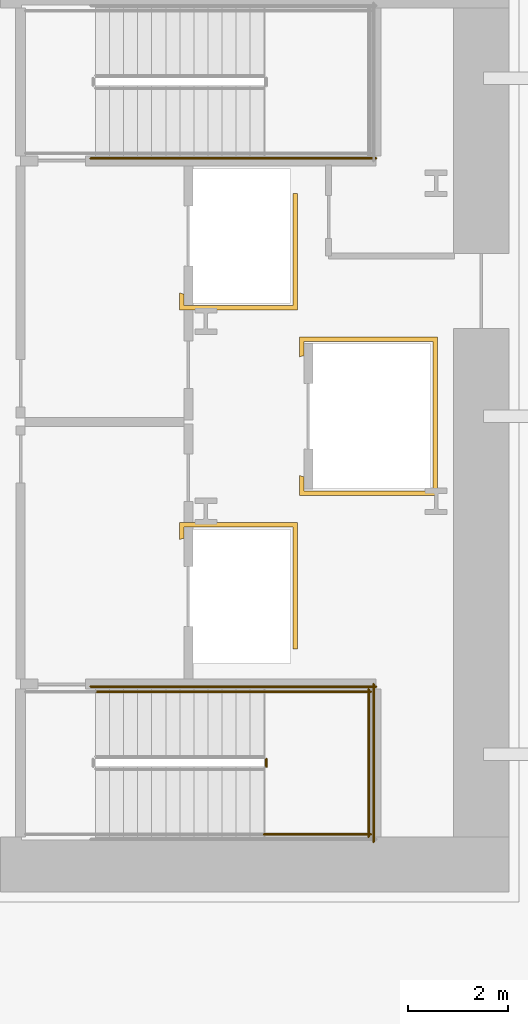
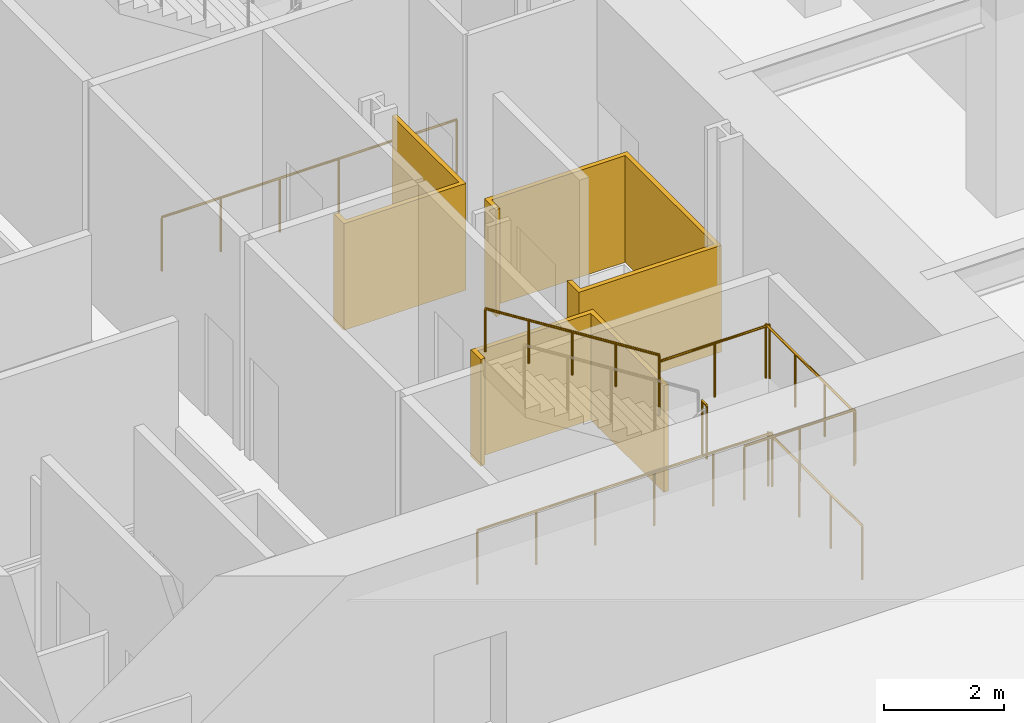
# One storey, part 13 of 18: 8 railings, 3 coverings.
"""IFC4 building model written with IfcOpenShell, lengths in metres."""

from ifc_helpers import new_model, si_unit, direction, frame, origin, origin_2d, place, context, subcontext, project, spatial, polyline, circle, outline, extrude, material, layer, layer_set, type_object, element, save


model = new_model("IFC4")

# Units and contexts
model_context = context("Model", 3, precision=1e-05, world=origin(), true_north=direction((0.0, 1.0)))
body_context = subcontext(model_context, "Body", "Model", "MODEL_VIEW")
ifc_project = project(units=[si_unit("LENGTHUNIT", "METRE"), si_unit("AREAUNIT", "SQUARE_METRE"), si_unit("VOLUMEUNIT", "CUBIC_METRE"), si_unit("PLANEANGLEUNIT", "RADIAN"), si_unit("MASSUNIT", "GRAM", prefix="KILO")], contexts=[model_context])

# Site, building, storey
site_placement = place(None, origin())
site = spatial("IfcSite", under=ifc_project, at=site_placement, CompositionType="ELEMENT")
building_placement = place(site_placement, origin())
building = spatial("IfcBuilding", under=site, at=building_placement, Name="Valkerne Bourse Tower", CompositionType="ELEMENT")
storey_placement = place(building_placement, frame((0.0, 0.0, 10.199951171875)))
storey = spatial("IfcBuildingStorey", under=building, at=storey_placement, Name="L02", CompositionType="ELEMENT", Elevation=10.199951171875)

# Coverings
ifc_material_1 = material(Name="Gypsum Shaftwall Liner Board", Category="gypsum")
ifc_layer = layer(ifc_material_1, 0.080078125)
ifc_layer_set = layer_set([ifc_layer], Name="Gypsum Shaftwall Liner Board")
covering_type = type_object("IfcCoveringType", Name="COV-SHF-CLAD", PredefinedType="CLADDING", material=ifc_layer_set)
covering_1_placement = place(storey_placement, origin())
element("IfcCovering", 1, at=covering_1_placement, inside=storey, type_object=covering_type, Name="L02 Hoistway & Riser Shaftwall Liner 07", PredefinedType="CLADDING", context=body_context, shape_type="SweptSolid", body=[
    extrude(outline(polyline([(52.179931640625, 22.35009765625), (52.090087890625, 22.35009765625), (52.090087890625, 24.7900390625), (49.909912109375, 24.7900390625), (49.909912109375, 24.560791015625), (49.869384765625, 24.550537109375), (49.827880859375, 24.53564453125), (49.820068359375, 24.531982421875), (49.820068359375, 24.8798828125), (52.179931640625, 24.8798828125), (52.179931640625, 22.35009765625)])), origin(), (0.0, 0.0, 1.0), 2.179931640625),
])
covering_2_placement = place(storey_placement, origin())
element("IfcCovering", 2, at=covering_2_placement, inside=storey, type_object=covering_type, Name="L02 Hoistway & Riser Shaftwall Liner 08", PredefinedType="CLADDING", context=body_context, shape_type="SweptSolid", body=[
    extrude(outline(polyline([(54.97998046875, 25.419921875), (52.219970703125, 25.419921875), (52.219970703125, 25.81787109375), (52.227783203125, 25.814208984375), (52.269287109375, 25.79931640625), (52.31005859375, 25.789306640625), (52.31005859375, 25.510009765625), (54.889892578125, 25.510009765625), (54.889892578125, 28.489990234375), (52.31005859375, 28.489990234375), (52.31005859375, 28.210693359375), (52.269287109375, 28.20068359375), (52.227783203125, 28.185791015625), (52.219970703125, 28.18212890625), (52.219970703125, 28.580078125), (54.97998046875, 28.580078125), (54.97998046875, 25.419921875)])), origin(), (0.0, 0.0, 1.0), 2.179931640625),
])
covering_3_placement = place(storey_placement, origin())
element("IfcCovering", 3, at=covering_3_placement, inside=storey, type_object=covering_type, Name="L02 Hoistway & Riser Shaftwall Liner 10", PredefinedType="CLADDING", context=body_context, shape_type="SweptSolid", body=[
    extrude(outline(polyline([(49.820068359375, 29.1201171875), (49.820068359375, 29.468017578125), (49.827880859375, 29.46435546875), (49.869384765625, 29.449462890625), (49.909912109375, 29.439208984375), (49.909912109375, 29.2099609375), (52.090087890625, 29.2099609375), (52.090087890625, 31.449951171875), (52.179931640625, 31.449951171875), (52.179931640625, 29.1201171875), (49.820068359375, 29.1201171875)])), origin(), (0.0, 0.0, 1.0), 2.179931640625),
])

# Railings
ifc_material_2 = material(Name="Galvanised Painted Steel", Category="steel")
railing_type_1 = type_object("IfcRailingType", Name="RLG-ST-GUARD-1120", PredefinedType="GUARDRAIL", material=ifc_material_2)
railing_1_placement = place(storey_placement, frame((51.56005859375, 20.0, 2.300048828125)))
element("IfcRailing", 4, at=railing_1_placement, inside=storey, type_object=railing_type_1, Name="L02 ST-1 stair guard 2", PredefinedType="GUARDRAIL", context=body_context, shape_type="SweptSolid", body=[
    extrude(circle(Radius=0.02392578125, at=origin_2d()), frame((0.0, 0.0, 1.09619140625), z_axis=(0.0, 1.0, 0.0), x_axis=(-1.0, 0.0, 0.0)), (0.0, 0.0, 1.0), 0.14990234375),
    extrude(circle(Radius=0.02099609375, at=origin_2d()), origin(), (0.0, 0.0, 1.0), 1.072021484375),
    extrude(circle(Radius=0.02099609375, at=origin_2d()), frame((0.0, 0.14990234375, 0.0)), (0.0, 0.0, 1.0), 1.072021484375),
])
for number, where, name in (
    (5, (51.510009765625, 18.64990234375, 2.300048828125), "L02 ST-1 stair guard 3"),
    (6, (51.510009765625, 21.5, 2.300048828125), "L02 ST-1 stair guard 4"),
):
    element("IfcRailing", number, at=place(storey_placement, frame(where)), inside=storey, type_object=railing_type_1, Name=name, PredefinedType="GUARDRAIL", context=body_context, shape_type="SweptSolid", body=[
        extrude(circle(Radius=0.02392578125, at=origin_2d()), frame((0.0, 0.0, 1.09619140625), z_axis=(1.0, 0.0, 0.0), x_axis=(0.0, 1.0, 0.0)), (0.0, 0.0, 1.0), 2.139892578125),
        extrude(circle(Radius=0.02099609375, at=origin_2d()), origin(), (0.0, 0.0, 1.0), 1.072021484375),
        extrude(circle(Radius=0.02099609375, at=origin_2d()), frame((1.06982421875, 0.0, 0.0)), (0.0, 0.0, 1.0), 1.072021484375),
        extrude(circle(Radius=0.02099609375, at=origin_2d()), frame((2.139892578125, 0.0, 0.0)), (0.0, 0.0, 1.0), 1.072021484375),
    ])
railing_2_placement = place(storey_placement, frame((53.60009765625, 18.60009765625, 2.300048828125)))
element("IfcRailing", 7, at=railing_2_placement, inside=storey, type_object=railing_type_1, Name="L02 ST-1 stair guard 5", PredefinedType="GUARDRAIL", context=body_context, shape_type="SweptSolid", body=[
    extrude(circle(Radius=0.02392578125, at=origin_2d()), frame((0.0, 0.0, 1.09619140625), z_axis=(0.0, 1.0, 0.0), x_axis=(-1.0, 0.0, 0.0)), (0.0, 0.0, 1.0), 2.949951171875),
    extrude(circle(Radius=0.02099609375, at=origin_2d()), origin(), (0.0, 0.0, 1.0), 1.072021484375),
    extrude(circle(Radius=0.02099609375, at=origin_2d()), frame((0.0, 0.9833984375, 0.0)), (0.0, 0.0, 1.0), 1.072021484375),
    extrude(circle(Radius=0.02099609375, at=origin_2d()), frame((0.0, 1.966552734375, 0.0)), (0.0, 0.0, 1.0), 1.072021484375),
    extrude(circle(Radius=0.02099609375, at=origin_2d()), frame((0.0, 2.949951171875, 0.0)), (0.0, 0.0, 1.0), 1.072021484375),
])
railing_3_placement = place(storey_placement, frame((48.050048828125, 21.60009765625, 0.0)))
element("IfcRailing", 8, at=railing_3_placement, inside=storey, type_object=railing_type_1, Name="L02 ST-1 stair guard 11", PredefinedType="GUARDRAIL", context=body_context, shape_type="SweptSolid", body=[
    extrude(circle(Radius=0.02392578125, at=origin_2d()), frame((0.0, 0.0, 1.09619140625), z_axis=(1.0, 0.0, 0.0), x_axis=(0.0, 1.0, 0.0)), (0.0, 0.0, 1.0), 5.699951171875),
    extrude(circle(Radius=0.02099609375, at=origin_2d()), origin(), (0.0, 0.0, 1.0), 1.072021484375),
    extrude(circle(Radius=0.02099609375, at=origin_2d()), frame((1.139892578125, 0.0, 0.0)), (0.0, 0.0, 1.0), 1.072021484375),
    extrude(circle(Radius=0.02099609375, at=origin_2d()), frame((2.280029296875, 0.0, 0.0)), (0.0, 0.0, 1.0), 1.072021484375),
    extrude(circle(Radius=0.02099609375, at=origin_2d()), frame((3.419921875, 0.0, 0.0)), (0.0, 0.0, 1.0), 1.072021484375),
    extrude(circle(Radius=0.02099609375, at=origin_2d()), frame((4.56005859375, 0.0, 0.0)), (0.0, 0.0, 1.0), 1.072021484375),
    extrude(circle(Radius=0.02099609375, at=origin_2d()), frame((5.699951171875, 0.0, 0.0)), (0.0, 0.0, 1.0), 1.072021484375),
])
railing_4_placement = place(storey_placement, frame((53.699951171875, 18.5, 0.0)))
element("IfcRailing", 9, at=railing_4_placement, inside=storey, type_object=railing_type_1, Name="L02 ST-1 stair guard 12", PredefinedType="GUARDRAIL", context=body_context, shape_type="SweptSolid", body=[
    extrude(circle(Radius=0.02392578125, at=origin_2d()), frame((0.0, 0.0, 1.09619140625), z_axis=(0.0, 1.0, 0.0), x_axis=(-1.0, 0.0, 0.0)), (0.0, 0.0, 1.0), 3.14990234375),
    extrude(circle(Radius=0.02099609375, at=origin_2d()), origin(), (0.0, 0.0, 1.0), 1.072021484375),
    extrude(circle(Radius=0.02099609375, at=origin_2d()), frame((0.0, 1.050048828125, 0.0)), (0.0, 0.0, 1.0), 1.072021484375),
    extrude(circle(Radius=0.02099609375, at=origin_2d()), frame((0.0, 2.099853515625, 0.0)), (0.0, 0.0, 1.0), 1.072021484375),
    extrude(circle(Radius=0.02099609375, at=origin_2d()), frame((0.0, 3.14990234375, 0.0)), (0.0, 0.0, 1.0), 1.072021484375),
])
railing_5_placement = place(storey_placement, frame((48.050048828125, 32.14990234375, 0.0)))
element("IfcRailing", 10, at=railing_5_placement, inside=storey, type_object=railing_type_1, Name="L02 ST-2 stair guard 10", PredefinedType="GUARDRAIL", context=body_context, shape_type="SweptSolid", body=[
    extrude(circle(Radius=0.02392578125, at=origin_2d()), frame((0.0, 0.0, 1.09619140625), z_axis=(1.0, 0.0, 0.0), x_axis=(0.0, 1.0, 0.0)), (0.0, 0.0, 1.0), 5.699951171875),
    extrude(circle(Radius=0.02099609375, at=origin_2d()), origin(), (0.0, 0.0, 1.0), 1.072021484375),
    extrude(circle(Radius=0.02099609375, at=origin_2d()), frame((1.139892578125, 0.0, 0.0)), (0.0, 0.0, 1.0), 1.072021484375),
    extrude(circle(Radius=0.02099609375, at=origin_2d()), frame((2.280029296875, 0.0, 0.0)), (0.0, 0.0, 1.0), 1.072021484375),
    extrude(circle(Radius=0.02099609375, at=origin_2d()), frame((3.419921875, 0.0, 0.0)), (0.0, 0.0, 1.0), 1.072021484375),
    extrude(circle(Radius=0.02099609375, at=origin_2d()), frame((4.56005859375, 0.0, 0.0)), (0.0, 0.0, 1.0), 1.072021484375),
    extrude(circle(Radius=0.02099609375, at=origin_2d()), frame((5.699951171875, 0.0, 0.0)), (0.0, 0.0, 1.0), 1.072021484375),
])
ifc_material_3 = material(Name="Stainless Steel AISI 316", Category="steel")
railing_type_2 = type_object("IfcRailingType", Name="RLG-ST-HANDRAIL-900", PredefinedType="HANDRAIL", material=ifc_material_3)
railing_6_placement = place(storey_placement, frame((51.510009765625, 21.5, 2.65380859375)))
element("IfcRailing", 11, at=railing_6_placement, inside=storey, type_object=railing_type_2, Name="L02 ST-1 stair handrail 2", PredefinedType="HANDRAIL", context=body_context, shape_type="SweptSolid", body=[
    extrude(circle(Radius=0.02392578125, at=origin_2d()), frame((0.0, 0.0, 0.8759765625), z_axis=(-0.845389635667, 0.0, 0.534150132366), x_axis=(0.0, -1.0, 0.0)), (0.0, 0.0, 1.0), 3.974609375),
    extrude(circle(Radius=0.02099609375, at=origin_2d()), origin(), (0.0, 0.0, 1.0), 0.851806640625),
    extrude(circle(Radius=0.02099609375, at=origin_2d()), frame((-0.840087890625, 0.0, 0.53076171875)), (0.0, 0.0, 1.0), 0.851806640625),
    extrude(circle(Radius=0.02099609375, at=origin_2d()), frame((-1.68017578125, 0.0, 1.0615234375)), (0.0, 0.0, 1.0), 0.851806640625),
    extrude(circle(Radius=0.02099609375, at=origin_2d()), frame((-2.52001953125, 0.0, 1.59228515625)), (0.0, 0.0, 1.0), 0.851806640625),
    extrude(circle(Radius=0.02099609375, at=origin_2d()), frame((-3.360107421875, 0.0, 2.123046875)), (0.0, 0.0, 1.0), 0.851806640625),
])

save(model, "model.ifc")
